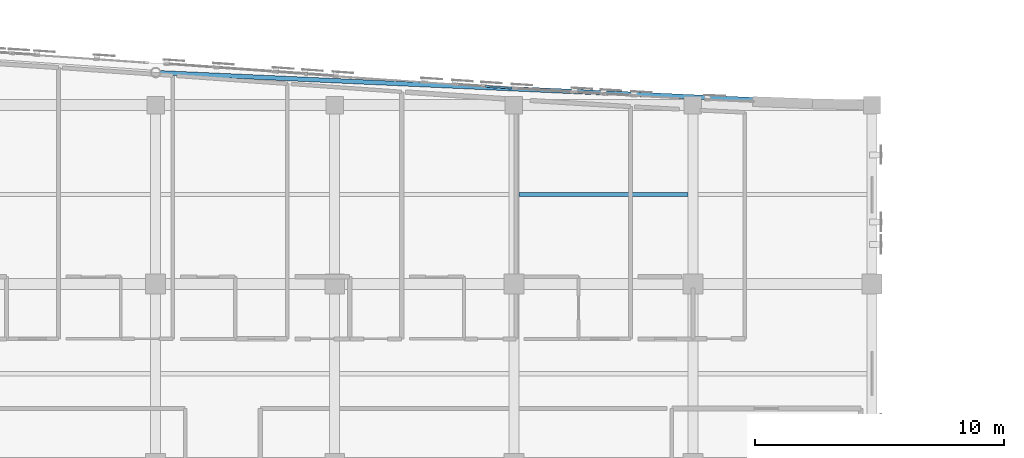
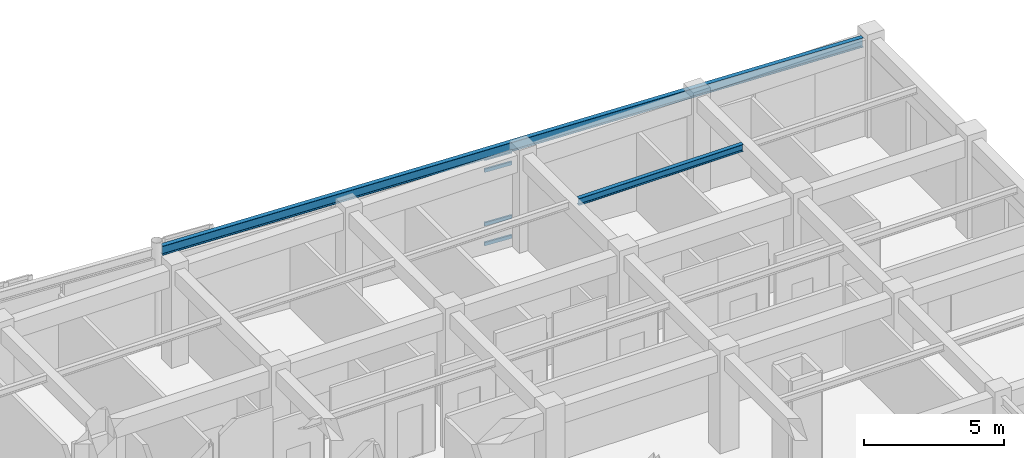
# One storey, part 54 of 106: 4 members, 2 beams, 1 element without a shape of its own.
"""IFC4 building model written with IfcOpenShell, lengths in metres."""

from ifc_helpers import new_model, si_unit, direction, frame, origin, origin_2d, place, context, subcontext, project, spatial, hollow_rectangle, i_section, extrude, material, layer, layer_set, material_profile, profile_set, type_object, element, aggregate, save


model = new_model("IFC4")

# Units and contexts
model_context = context("Model", 3, precision=1e-05, world=origin(), true_north=direction((0.0, 1.0)))
body_context = subcontext(model_context, "Body", "Model", "MODEL_VIEW")
ifc_project = project(units=[si_unit("LENGTHUNIT", "METRE"), si_unit("AREAUNIT", "SQUARE_METRE"), si_unit("VOLUMEUNIT", "CUBIC_METRE"), si_unit("PLANEANGLEUNIT", "RADIAN"), si_unit("MASSUNIT", "GRAM", prefix="KILO")], contexts=[model_context])

# Site, building, storey
site_placement = place(None, origin())
site = spatial("IfcSite", under=ifc_project, at=site_placement, CompositionType="ELEMENT")
building_placement = place(site_placement, origin())
building = spatial("IfcBuilding", under=site, at=building_placement, Name="Carrowvane Square Congress Hotel", CompositionType="ELEMENT")
storey_placement = place(building_placement, frame((0.0, 0.0, 10.5)))
storey = spatial("IfcBuildingStorey", under=building, at=storey_placement, Name="L02", CompositionType="ELEMENT", Elevation=10.5)

# Beams
ifc_material_1 = material(Name="Steel S355", Category="steel")
ifc_material_profile_1 = material_profile(ifc_material_1, i_section(OverallWidth=0.165771484375, OverallDepth=0.306640625, WebThickness=0.006591796875, FlangeThickness=0.01171875, FilletRadius=0.0087890625, at=origin_2d()), Name="UKB 305x165x46")
ifc_profile_set_1 = profile_set([ifc_material_profile_1], Name="Steel S355")
beam_type_1 = type_object("IfcBeamType", Name="BM-ST-UKB305", PredefinedType="JOIST", material=ifc_profile_set_1)
beam_1_placement = place(storey_placement, frame((148.60009765625, 109.800048828125, 4.066650390625), z_axis=(1.0, 0.0, 0.0), x_axis=(0.0, 1.0, 0.0)))
element("IfcBeam", 1, at=beam_1_placement, inside=storey, type_object=beam_type_1, Name="L03 secondary joist 20-21", PredefinedType="JOIST", context=body_context, shape_type="SweptSolid", body=[
    extrude(i_section(OverallWidth=0.165771484375, OverallDepth=0.306640625, WebThickness=0.006591796875, FlangeThickness=0.01171875, FilletRadius=0.0087890625, at=origin_2d()), origin(), (0.0, 0.0, 1.0), 6.7998046875),
])
ifc_material_2 = material(Name="Steel S355", Category="steel")
ifc_material_profile_2 = material_profile(ifc_material_2, i_section(OverallWidth=0.1787109375, OverallDepth=0.409423828125, WebThickness=0.0087890625, FlangeThickness=0.014404296875, FilletRadius=0.01025390625, at=origin_2d()), Name="UKB 406x178x67")
ifc_profile_set_2 = profile_set([ifc_material_profile_2], Name="Steel S355")
beam_type_2 = type_object("IfcBeamType", Name="BM-ST-UKB406", PredefinedType="BEAM", material=ifc_profile_set_2)
beam_2_placement = place(storey_placement, frame((134.202880859375, 114.69677734375, 4.015380859375), z_axis=(0.998973305659, -0.045302699476, 0.0), x_axis=(0.045302699476, 0.998973305659, 0.0)))
element("IfcBeam", 2, at=beam_2_placement, inside=storey, type_object=beam_type_2, Name="L03 curved north spandrel", PredefinedType="BEAM", context=body_context, shape_type="SweptSolid", body=[
    extrude(i_section(OverallWidth=0.1787109375, OverallDepth=0.409423828125, WebThickness=0.0087890625, FlangeThickness=0.014404296875, FilletRadius=0.01025390625, at=origin_2d()), origin(), (0.0, 0.0, 1.0), 28.276611328125),
])

# Curtain wall, members
ifc_material_3 = material(Name="Anodised aluminium", Category="aluminium")
ifc_layer = layer(ifc_material_3, 0.24609375)
ifc_layer_set = layer_set([ifc_layer], Name="Anodised aluminium")
curtain_wall_type = type_object("IfcCurtainWallType", Name="CW-SYS-8", PredefinedType="NOTDEFINED", material=ifc_layer_set)
curtain_wall_placement = place(storey_placement, origin())
curtain_wall = element("IfcCurtainWall", 3, at=curtain_wall_placement, inside=storey, type_object=curtain_wall_type, Name="L02 unitised curtain wall 175", PredefinedType="NOTDEFINED")
ifc_material_4 = material(Name="Anodised aluminium", Category="aluminium")
ifc_material_profile_3 = material_profile(ifc_material_4, hollow_rectangle(XDim=0.070068359375, YDim=0.14990234375, WallThickness=0.0048828125, at=origin_2d()), Name="CW-TR 70x150x5")
ifc_profile_set_3 = profile_set([ifc_material_profile_3], Name="Anodised aluminium")
member_type = type_object("IfcMemberType", Name="CW-TRN-2", PredefinedType="USERDEFINED", material=ifc_profile_set_3)
member_1_placement = place(storey_placement, frame((147.23486328125, 114.153076171875, 0.034912109375), z_axis=(0.997786141917, -0.066504247979, 0.0), x_axis=(0.066504247979, 0.997786141917, 0.0)))
member_1 = element("IfcMember", 4, at=member_1_placement, type_object=member_type, Name="CW-8 transom 2.1", ObjectType="TRANSOM", PredefinedType="USERDEFINED", context=body_context, shape_type="SweptSolid", body=[
    extrude(hollow_rectangle(XDim=0.070068359375, YDim=0.14990234375, WallThickness=0.0048828125, at=origin_2d()), origin(), (0.0, 0.0, 1.0), 1.09765625),
])
member_2_placement = place(storey_placement, frame((147.23486328125, 114.153076171875, 0.89990234375), z_axis=(0.997786141917, -0.066504247979, 0.0), x_axis=(0.066504247979, 0.997786141917, 0.0)))
member_2 = element("IfcMember", 5, at=member_2_placement, type_object=member_type, Name="CW-8 transom 2.2", ObjectType="TRANSOM", PredefinedType="USERDEFINED", context=body_context, shape_type="SweptSolid", body=[
    extrude(hollow_rectangle(XDim=0.070068359375, YDim=0.14990234375, WallThickness=0.0048828125, at=origin_2d()), origin(), (0.0, 0.0, 1.0), 1.09765625),
])
member_3_placement = place(storey_placement, frame((147.23486328125, 114.153076171875, 3.24560546875), z_axis=(0.997786141917, -0.066504247979, 0.0), x_axis=(0.066504247979, 0.997786141917, 0.0)))
member_3 = element("IfcMember", 6, at=member_3_placement, type_object=member_type, Name="CW-8 transom 2.3", ObjectType="TRANSOM", PredefinedType="USERDEFINED", context=body_context, shape_type="SweptSolid", body=[
    extrude(hollow_rectangle(XDim=0.070068359375, YDim=0.14990234375, WallThickness=0.0048828125, at=origin_2d()), origin(), (0.0, 0.0, 1.0), 1.09765625),
])
member_4_placement = place(storey_placement, frame((147.23486328125, 114.153076171875, 3.760498046875), z_axis=(0.997786141917, -0.066504247979, 0.0), x_axis=(0.066504247979, 0.997786141917, 0.0)))
member_4 = element("IfcMember", 7, at=member_4_placement, type_object=member_type, Name="CW-8 transom 2.4", ObjectType="TRANSOM", PredefinedType="USERDEFINED", context=body_context, shape_type="SweptSolid", body=[
    extrude(hollow_rectangle(XDim=0.070068359375, YDim=0.14990234375, WallThickness=0.0048828125, at=origin_2d()), origin(), (0.0, 0.0, 1.0), 1.09765625),
])
aggregate(curtain_wall, [member_1, member_2, member_3, member_4])

save(model, "model.ifc")
